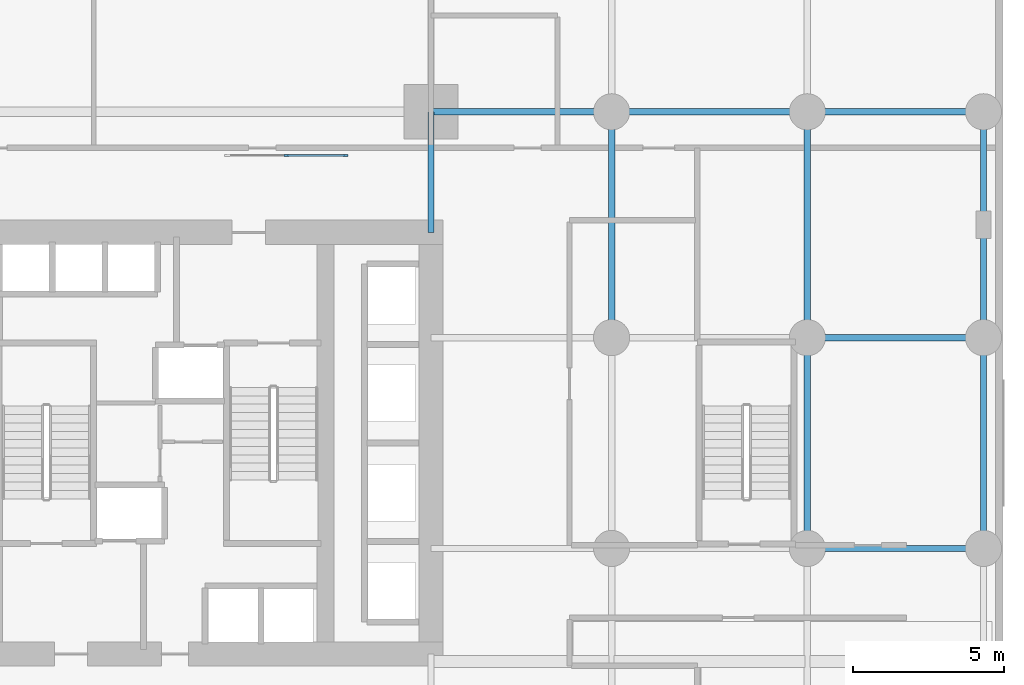
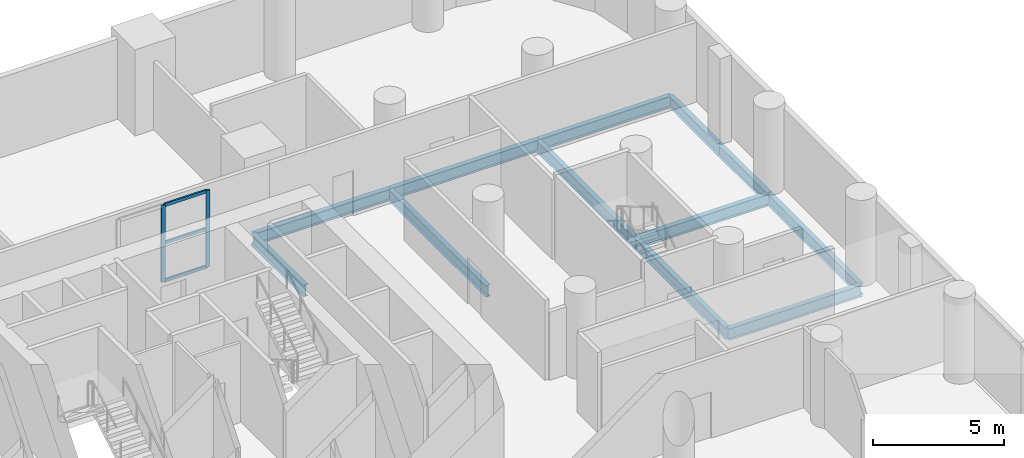
# One storey, part 5 of 12: 12 beams, 5 members, 1 element without a shape of its own.
"""IFC4 building model written with IfcOpenShell, lengths in metres."""

from ifc_helpers import new_model, si_unit, direction, frame, origin, origin_2d, place, context, subcontext, project, spatial, rectangle, i_section, extrude, material, material_profile, profile_set, type_object, element, aggregate, save


model = new_model("IFC4")

# Units and contexts
model_context = context("Model", 3, precision=1e-05, world=origin(), true_north=direction((0.0, 1.0)))
body_context = subcontext(model_context, "Body", "Model", "MODEL_VIEW")
ifc_project = project(units=[si_unit("LENGTHUNIT", "METRE"), si_unit("AREAUNIT", "SQUARE_METRE"), si_unit("VOLUMEUNIT", "CUBIC_METRE"), si_unit("PLANEANGLEUNIT", "RADIAN"), si_unit("MASSUNIT", "GRAM", prefix="KILO")], contexts=[model_context])

# Site, building, storey
site_placement = place(None, origin())
site = spatial("IfcSite", under=ifc_project, at=site_placement, CompositionType="ELEMENT")
building_placement = place(site_placement, origin())
building = spatial("IfcBuilding", under=site, at=building_placement, Name="Veldorim Arch Residences", CompositionType="ELEMENT")
storey_placement = place(building_placement, frame((0.0, 0.0, 12.0)))
storey = spatial("IfcBuildingStorey", under=building, at=storey_placement, Name="L03", CompositionType="ELEMENT", Elevation=12.0)

# Curtain wall, members
ifc_material_1 = material(Name="Aluminium", Category="aluminium")
curtain_wall_type = type_object("IfcCurtainWallType", Name="Crown Faceted Fritted Laminated Curtain Wall", PredefinedType="NOTDEFINED", material=ifc_material_1)
curtain_wall_placement = place(storey_placement, origin())
curtain_wall = element("IfcCurtainWall", 1, at=curtain_wall_placement, inside=storey, type_object=curtain_wall_type, Name="L03 N arch bridge clerestory curtain wall", PredefinedType="NOTDEFINED")
ifc_material_2 = material(Name="Aluminium", Category="aluminium")
ifc_material_profile_1 = material_profile(ifc_material_2, rectangle(XDim=0.070068359375, YDim=0.169921875, at=origin_2d()), Name="ALU_MUL_70x170")
ifc_profile_set_1 = profile_set([ifc_material_profile_1], Name="Aluminium")
member_type_1 = type_object("IfcMemberType", Name="Crown Faceted Fritted Laminated Curtain Wall Mullion 70x170", PredefinedType="MULLION", material=ifc_profile_set_1)
member_1_placement = place(storey_placement, frame((36.199951171875, 33.550048828125, 0.0), z_axis=(0.0, 0.0, 1.0), x_axis=(0.0, 1.0, 0.0)))
member_1 = element("IfcMember", 2, at=member_1_placement, type_object=member_type_1, Name="CW-CRN mullion 2", PredefinedType="MULLION", context=body_context, shape_type="SweptSolid", body=[
    extrude(rectangle(XDim=0.070068359375, YDim=0.169921875, at=origin_2d()), origin(), (0.0, 0.0, 1.0), 3.580078125),
])
member_2_placement = place(storey_placement, frame((38.1650390625, 33.550048828125, 0.0), z_axis=(0.0, 0.0, 1.0), x_axis=(0.0, 1.0, 0.0)))
member_2 = element("IfcMember", 3, at=member_2_placement, type_object=member_type_1, Name="CW-CRN mullion 3", PredefinedType="MULLION", context=body_context, shape_type="SweptSolid", body=[
    extrude(rectangle(XDim=0.070068359375, YDim=0.169921875, at=origin_2d()), origin(), (0.0, 0.0, 1.0), 3.580078125),
])
ifc_material_3 = material(Name="Aluminium", Category="aluminium")
ifc_material_profile_2 = material_profile(ifc_material_3, rectangle(XDim=0.070068359375, YDim=0.14990234375, at=origin_2d()), Name="ALU_TRN_70x150")
ifc_profile_set_2 = profile_set([ifc_material_profile_2], Name="Aluminium")
member_type_2 = type_object("IfcMemberType", Name="Crown Faceted Fritted Laminated Curtain Wall Transom 70x150", PredefinedType="USERDEFINED", material=ifc_profile_set_2)
member_3_placement = place(storey_placement, frame((36.235107421875, 33.550048828125, 0.034912109375), z_axis=(1.0, 0.0, 0.0), x_axis=(0.0, 1.0, 0.0)))
member_3 = element("IfcMember", 4, at=member_3_placement, type_object=member_type_2, Name="CW-CRN transom 2.1", ObjectType="TRANSOM", PredefinedType="USERDEFINED", context=body_context, shape_type="SweptSolid", body=[
    extrude(rectangle(XDim=0.070068359375, YDim=0.14990234375, at=origin_2d()), origin(), (0.0, 0.0, 1.0), 1.894775390625),
])
member_4_placement = place(storey_placement, frame((36.235107421875, 33.550048828125, 1.7900390625), z_axis=(1.0, 0.0, 0.0), x_axis=(0.0, 1.0, 0.0)))
member_4 = element("IfcMember", 5, at=member_4_placement, type_object=member_type_2, Name="CW-CRN transom 2.2", ObjectType="TRANSOM", PredefinedType="USERDEFINED", context=body_context, shape_type="SweptSolid", body=[
    extrude(rectangle(XDim=0.070068359375, YDim=0.14990234375, at=origin_2d()), origin(), (0.0, 0.0, 1.0), 1.894775390625),
])
member_5_placement = place(storey_placement, frame((36.235107421875, 33.550048828125, 3.544921875), z_axis=(1.0, 0.0, 0.0), x_axis=(0.0, 1.0, 0.0)))
member_5 = element("IfcMember", 6, at=member_5_placement, type_object=member_type_2, Name="CW-CRN transom 2.3", ObjectType="TRANSOM", PredefinedType="USERDEFINED", context=body_context, shape_type="SweptSolid", body=[
    extrude(rectangle(XDim=0.070068359375, YDim=0.14990234375, at=origin_2d()), origin(), (0.0, 0.0, 1.0), 1.894775390625),
])
aggregate(curtain_wall, [member_1, member_2, member_3, member_4, member_5])

# Beams
ifc_material_4 = material(Name="Steel S355", Category="steel")
ifc_material_profile_3 = material_profile(ifc_material_4, i_section(OverallWidth=0.2099609375, OverallDepth=0.53662109375, WebThickness=0.0107421875, FlangeThickness=0.017333984375, at=origin_2d()), Name="UB533x210x101")
ifc_profile_set_3 = profile_set([ifc_material_profile_3], Name="Steel S355")
beam_type_1 = type_object("IfcBeamType", Name="Structural Steel Beam UB533x210x101", PredefinedType="BEAM", material=ifc_profile_set_3)
beam_1_placement = place(storey_placement, frame((41.0, 31.0, -0.54833984375), z_axis=(0.0, 1.0, 0.0), x_axis=(-1.0, 0.0, 0.0)))
element("IfcBeam", 7, at=beam_1_placement, inside=storey, type_object=beam_type_1, Name="L03 north-south floor beam (X=41.0, 31.0-35.0)", PredefinedType="BEAM", context=body_context, shape_type="SweptSolid", body=[
    extrude(i_section(OverallWidth=0.2099609375, OverallDepth=0.53662109375, WebThickness=0.0107421875, FlangeThickness=0.017333984375, at=origin_2d()), origin(), (0.0, 0.0, 1.0), 4.0),
])
beam_2_placement = place(storey_placement, frame((47.0, 27.5, -0.54833984375), z_axis=(0.0, 1.0, 0.0), x_axis=(-1.0, 0.0, 0.0)))
element("IfcBeam", 8, at=beam_2_placement, inside=storey, type_object=beam_type_1, Name="L03 north-south floor beam (X=47.0, 27.5-35.0)", PredefinedType="BEAM", context=body_context, shape_type="SweptSolid", body=[
    extrude(i_section(OverallWidth=0.2099609375, OverallDepth=0.53662109375, WebThickness=0.0107421875, FlangeThickness=0.017333984375, at=origin_2d()), origin(), (0.0, 0.0, 1.0), 7.5),
])
beam_3_placement = place(storey_placement, frame((53.5, 20.5, -0.54833984375), z_axis=(0.0, 1.0, 0.0), x_axis=(-1.0, 0.0, 0.0)))
element("IfcBeam", 9, at=beam_3_placement, inside=storey, type_object=beam_type_1, Name="L03 north-south floor beam (X=53.5, 20.5-27.5)", PredefinedType="BEAM", context=body_context, shape_type="SweptSolid", body=[
    extrude(i_section(OverallWidth=0.2099609375, OverallDepth=0.53662109375, WebThickness=0.0107421875, FlangeThickness=0.017333984375, at=origin_2d()), origin(), (0.0, 0.0, 1.0), 7.0),
])
beam_4_placement = place(storey_placement, frame((53.5, 27.5, -0.54833984375), z_axis=(0.0, 1.0, 0.0), x_axis=(-1.0, 0.0, 0.0)))
element("IfcBeam", 10, at=beam_4_placement, inside=storey, type_object=beam_type_1, Name="L03 north-south floor beam (X=53.5, 27.5-35.0)", PredefinedType="BEAM", context=body_context, shape_type="SweptSolid", body=[
    extrude(i_section(OverallWidth=0.2099609375, OverallDepth=0.53662109375, WebThickness=0.0107421875, FlangeThickness=0.017333984375, at=origin_2d()), origin(), (0.0, 0.0, 1.0), 7.5),
])
beam_5_placement = place(storey_placement, frame((59.35009765625, 20.5, -0.54833984375), z_axis=(0.0, 1.0, 0.0), x_axis=(-1.0, 0.0, 0.0)))
element("IfcBeam", 11, at=beam_5_placement, inside=storey, type_object=beam_type_1, Name="L03 north-south floor beam (X=59.4, 20.5-27.5)", PredefinedType="BEAM", context=body_context, shape_type="SweptSolid", body=[
    extrude(i_section(OverallWidth=0.2099609375, OverallDepth=0.53662109375, WebThickness=0.0107421875, FlangeThickness=0.017333984375, at=origin_2d()), origin(), (0.0, 0.0, 1.0), 7.0),
])
for number, where, z_axis, x_axis, name in (
    (12, (59.35009765625, 27.5, -0.54833984375), (0.0, 1.0, 0.0), (-1.0, 0.0, 0.0), "L03 north-south floor beam (X=59.4, 27.5-31.2)"),
    (13, (59.35009765625, 31.25, -0.54833984375), (0.0, 1.0, 0.0), (-1.0, 0.0, 0.0), "L03 north-south floor beam (X=59.4, 31.2-35.0)"),
):
    element("IfcBeam", number, at=place(storey_placement, frame(where, z_axis=z_axis, x_axis=x_axis)), inside=storey, type_object=beam_type_1, Name=name, PredefinedType="BEAM", context=body_context, shape_type="SweptSolid", body=[
        extrude(i_section(OverallWidth=0.2099609375, OverallDepth=0.53662109375, WebThickness=0.0107421875, FlangeThickness=0.017333984375, at=origin_2d()), origin(), (0.0, 0.0, 1.0), 3.75),
    ])
ifc_material_5 = material(Name="Steel S355", Category="steel")
ifc_material_profile_4 = material_profile(ifc_material_5, i_section(OverallWidth=0.2119140625, OverallDepth=0.54443359375, WebThickness=0.0126953125, FlangeThickness=0.021240234375, at=origin_2d()), Name="UB533x210x122")
ifc_profile_set_4 = profile_set([ifc_material_profile_4], Name="Steel S355")
beam_type_2 = type_object("IfcBeamType", Name="Structural Steel Beam UB533x210x122", PredefinedType="BEAM", material=ifc_profile_set_4)
for number, where, z_axis, x_axis, name in (
    (14, (53.5, 20.5, -0.55224609375), (1.0, 0.0, 0.0), (0.0, 1.0, 0.0), "L03 east-west floor beam (53.5-59.4, Y=20.5)"),
    (15, (53.5, 27.5, -0.55224609375), (1.0, 0.0, 0.0), (0.0, 1.0, 0.0), "L03 east-west floor beam (53.5-59.4, Y=27.5)"),
):
    element("IfcBeam", number, at=place(storey_placement, frame(where, z_axis=z_axis, x_axis=x_axis)), inside=storey, type_object=beam_type_2, Name=name, PredefinedType="BEAM", context=body_context, shape_type="SweptSolid", body=[
        extrude(i_section(OverallWidth=0.2119140625, OverallDepth=0.54443359375, WebThickness=0.0126953125, FlangeThickness=0.021240234375, at=origin_2d()), origin(), (0.0, 0.0, 1.0), 5.85009765625),
    ])
beam_6_placement = place(storey_placement, frame((41.0, 35.0, -0.55224609375), z_axis=(1.0, 0.0, 0.0), x_axis=(0.0, 1.0, 0.0)))
element("IfcBeam", 16, at=beam_6_placement, inside=storey, type_object=beam_type_2, Name="L03 east-west floor beam (41.0-47.0, Y=35.0)", PredefinedType="BEAM", context=body_context, shape_type="SweptSolid", body=[
    extrude(i_section(OverallWidth=0.2119140625, OverallDepth=0.54443359375, WebThickness=0.0126953125, FlangeThickness=0.021240234375, at=origin_2d()), origin(), (0.0, 0.0, 1.0), 6.0),
])
beam_7_placement = place(storey_placement, frame((47.0, 35.0, -0.55224609375), z_axis=(1.0, 0.0, 0.0), x_axis=(0.0, 1.0, 0.0)))
element("IfcBeam", 17, at=beam_7_placement, inside=storey, type_object=beam_type_2, Name="L03 east-west floor beam (47.0-53.5, Y=35.0)", PredefinedType="BEAM", context=body_context, shape_type="SweptSolid", body=[
    extrude(i_section(OverallWidth=0.2119140625, OverallDepth=0.54443359375, WebThickness=0.0126953125, FlangeThickness=0.021240234375, at=origin_2d()), origin(), (0.0, 0.0, 1.0), 6.5),
])
beam_8_placement = place(storey_placement, frame((53.5, 35.0, -0.55224609375), z_axis=(1.0, 0.0, 0.0), x_axis=(0.0, 1.0, 0.0)))
element("IfcBeam", 18, at=beam_8_placement, inside=storey, type_object=beam_type_2, Name="L03 east-west floor beam (53.5-59.4, Y=35.0)", PredefinedType="BEAM", context=body_context, shape_type="SweptSolid", body=[
    extrude(i_section(OverallWidth=0.2119140625, OverallDepth=0.54443359375, WebThickness=0.0126953125, FlangeThickness=0.021240234375, at=origin_2d()), origin(), (0.0, 0.0, 1.0), 5.85009765625),
])

save(model, "model.ifc")
